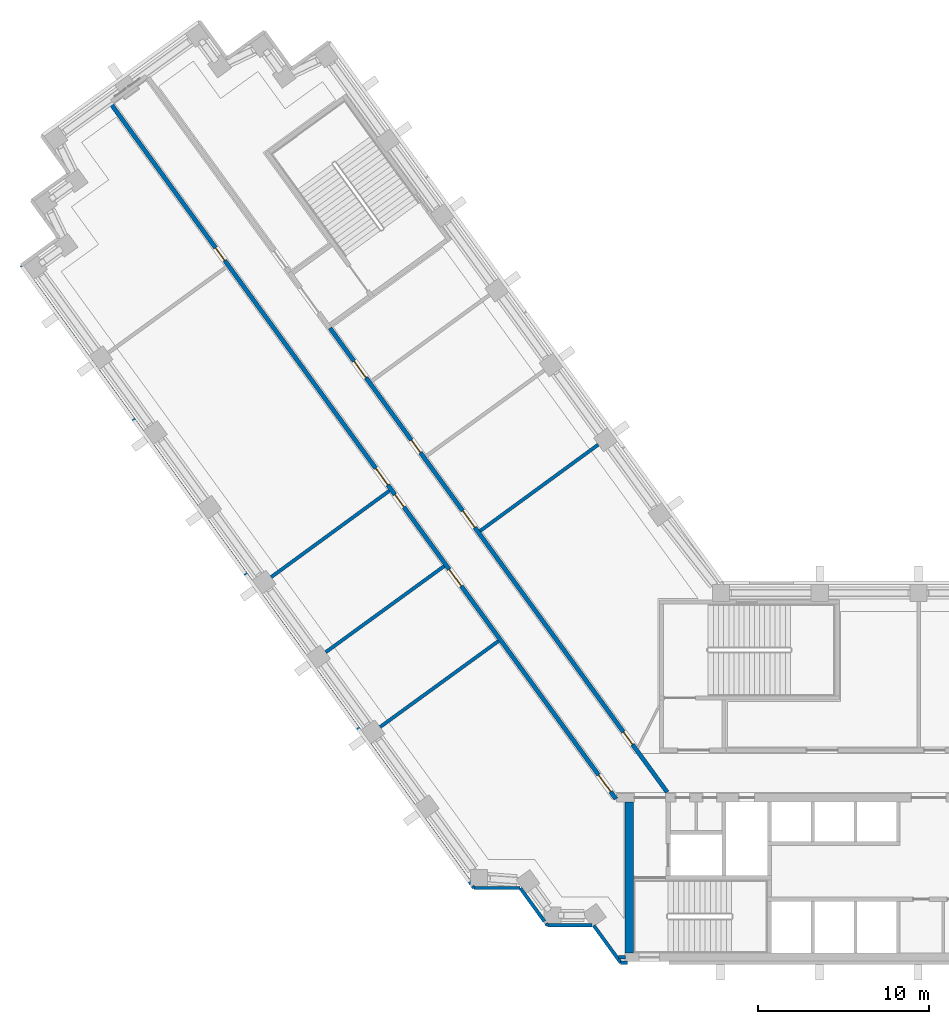
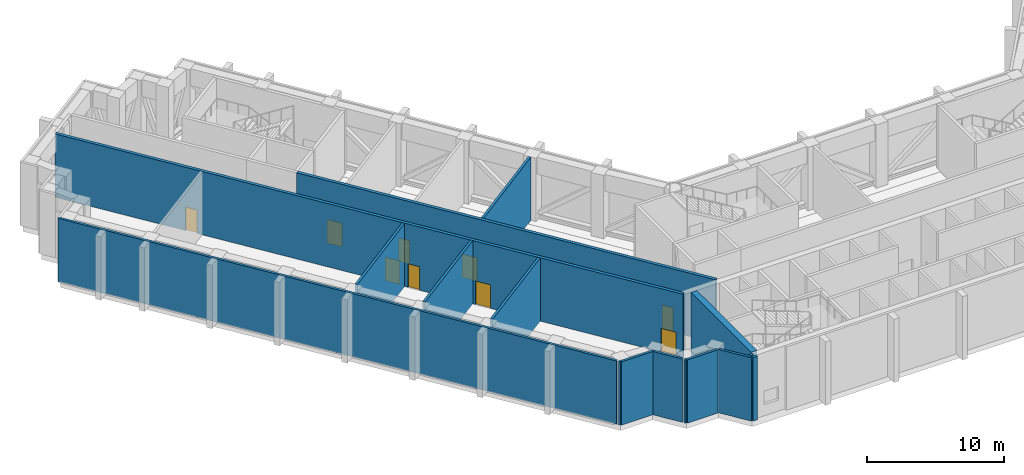
# One storey, part 10 of 18: 16 walls, 9 doors, 9 openings.
"""IFC4 building model written with IfcOpenShell, lengths in metres."""

from ifc_helpers import new_model, si_unit, direction, frame, frame_2d, origin, place, context, subcontext, project, spatial, rectangle, extrude, material, layer, layer_set, type_object, element, fill, save


model = new_model("IFC4")

# Units and contexts
model_context = context("Model", 3, precision=1e-05, world=origin(), true_north=direction((0.0, 1.0)))
body_context = subcontext(model_context, "Body", "Model", "MODEL_VIEW")
ifc_project = project(units=[si_unit("LENGTHUNIT", "METRE"), si_unit("AREAUNIT", "SQUARE_METRE"), si_unit("VOLUMEUNIT", "CUBIC_METRE"), si_unit("PLANEANGLEUNIT", "RADIAN"), si_unit("MASSUNIT", "GRAM", prefix="KILO")], contexts=[model_context])

# Site, building, storey
site_placement = place(None, origin())
site = spatial("IfcSite", under=ifc_project, at=site_placement, CompositionType="ELEMENT")
building_placement = place(site_placement, origin())
building = spatial("IfcBuilding", under=site, at=building_placement, Name="Quipu Civic Tower", CompositionType="ELEMENT")
storey_placement = place(building_placement, frame((0.0, 0.0, 79.0)))
storey = spatial("IfcBuildingStorey", under=building, at=storey_placement, Name="L18", CompositionType="ELEMENT", Elevation=79.0)

# Walls
ifc_material_1 = material(Name="Fired clay blockwork", Category="masonry")
ifc_layer_1 = layer(ifc_material_1, 0.199951171875)
ifc_layer_set_1 = layer_set([ifc_layer_1], Name="Fired clay blockwork")
wall_type_1 = type_object("IfcWallType", Name="Blockwork wall 200", PredefinedType="SOLIDWALL", material=ifc_layer_set_1)
wall_1_placement = place(storey_placement, frame((-40.660888671875, 11.432861328125, 0.0), z_axis=(0.0, 0.0, 1.0), x_axis=(0.807509937038, 0.589853966322, 0.0)))
element("IfcWall", 1, at=wall_1_placement, inside=storey, type_object=wall_type_1, Name="Partition P04", PredefinedType="SOLIDWALL", context=body_context, shape_type="SweptSolid", body=[
    extrude(rectangle(XDim=8.544921875, YDim=0.199951171875, at=frame_2d((4.2724609375, 0.0))), origin(), (0.0, 0.0, 1.0), 5.64990234375),
])
wall_2_placement = place(storey_placement, frame((-28.468994140625, 14.1240234375, 0.0), z_axis=(0.0, 0.0, 1.0), x_axis=(0.807519877432, 0.589840357684, 0.0)))
element("IfcWall", 2, at=wall_2_placement, inside=storey, type_object=wall_type_1, Name="Partition P06", PredefinedType="SOLIDWALL", context=body_context, shape_type="SweptSolid", body=[
    extrude(rectangle(XDim=8.545166015625, YDim=0.199951171875, at=frame_2d((4.2724609375, 0.0))), origin(), (0.0, 0.0, 1.0), 5.64990234375),
])
for number, where, z_axis, x_axis, name in (
    (3, (-27.38916015625, 7.702880859375, 0.0), (0.0, 0.0, 1.0), (-0.809031283368, -0.587765584678, 0.0), "Partition P08"),
    (4, (-30.563232421875, 12.07177734375, 0.0), (0.0, 0.0, 1.0), (-0.808970777022, -0.587848859762, 0.0), "Partition P10"),
):
    element("IfcWall", number, at=place(storey_placement, frame(where, z_axis=z_axis, x_axis=x_axis)), inside=storey, type_object=wall_type_1, Name=name, PredefinedType="SOLIDWALL", context=body_context, shape_type="SweptSolid", body=[
        extrude(rectangle(XDim=8.544677734375, YDim=0.199951171875, at=frame_2d((4.2724609375, 0.0))), origin(), (0.0, 0.0, 1.0), 5.64990234375),
    ])
ifc_material_2 = material(Name="Concrete C70/85", Category="concrete")
ifc_layer_2 = layer(ifc_material_2, 0.5)
ifc_layer_set_2 = layer_set([ifc_layer_2], Name="Concrete C70/85")
wall_type_2 = type_object("IfcWallType", Name="Core wall 500", PredefinedType="SHEAR", material=ifc_layer_set_2)
wall_3_placement = place(storey_placement, frame((-19.75, -10.5, 0.0), z_axis=(0.0, 0.0, 1.0), x_axis=(0.0, 1.0, 0.0)))
element("IfcWall", 5, at=wall_3_placement, inside=storey, type_object=wall_type_2, Name="Core wall", PredefinedType="SHEAR", context=body_context, shape_type="SweptSolid", body=[
    extrude(rectangle(XDim=8.800048828125, YDim=0.5, at=frame_2d((4.39990234375, 0.0))), origin(), (0.0, 0.0, 1.0), 5.64990234375),
])

# Wall, openings, doors
ifc_material_3 = material(Name="Concrete C50/60", Category="concrete")
ifc_layer_3 = layer(ifc_material_3, 0.25)
ifc_layer_set_3 = layer_set([ifc_layer_3], Name="Concrete C50/60")
wall_type_3 = type_object("IfcWallType", Name="Corridor wall 250 concrete", PredefinedType="SOLIDWALL", material=ifc_layer_set_3)
wall_4_placement = place(storey_placement, frame((-20.531005859375, -1.5234375, 0.0), z_axis=(0.0, 0.0, 1.0), x_axis=(-0.587785385475, 0.809016897612, 0.0)))
wall_4 = element("IfcWall", 6, at=wall_4_placement, inside=storey, type_object=wall_type_3, Name="Corridor wall C03", PredefinedType="SOLIDWALL", context=body_context, shape_type="SweptSolid", body=[
    extrude(rectangle(XDim=50.211669921875, YDim=0.25, at=frame_2d((25.10595703125, 0.0))), origin(), (0.0, 0.0, 1.0), 5.64990234375),
])
opening_1_placement = place(wall_4_placement, frame((22.665283203125, 0.0, 0.0)))
opening_1 = element("IfcOpeningElement", 7, at=opening_1_placement, cuts=wall_4, Name="Opening D013", PredefinedType="OPENING", context=body_context, shape_type="SweptSolid", body=[
    extrude(rectangle(XDim=1.199951171875, YDim=2.10009765625, at=frame_2d((0.60009765625, 1.050048828125))), frame((0.0, 0.135009765625, 0.0), z_axis=(0.0, -1.0, 0.0), x_axis=(1.0, 0.0, 0.0)), (0.0, 0.0, 1.0), 0.27001953125),
])
opening_2_placement = place(wall_4_placement, frame((38.865478515625, 0.0, 0.0)))
opening_2 = element("IfcOpeningElement", 8, at=opening_2_placement, cuts=wall_4, Name="Opening D012", PredefinedType="OPENING", context=body_context, shape_type="SweptSolid", body=[
    extrude(rectangle(XDim=0.89990234375, YDim=2.10009765625, at=frame_2d((0.449951171875, 1.050048828125))), frame((0.0, 0.135009765625, 0.0), z_axis=(0.0, -1.0, 0.0), x_axis=(1.0, 0.0, 0.0)), (0.0, 0.0, 1.0), 0.27001953125),
])
opening_3_placement = place(wall_4_placement, frame((0.533203125, 0.0, 0.0)))
opening_3 = element("IfcOpeningElement", 9, at=opening_3_placement, cuts=wall_4, Name="Opening D016", PredefinedType="OPENING", context=body_context, shape_type="SweptSolid", body=[
    extrude(rectangle(XDim=1.199951171875, YDim=2.10009765625, at=frame_2d((0.60009765625, 1.050048828125))), frame((0.0, 0.135009765625, 0.0), z_axis=(0.0, -1.0, 0.0), x_axis=(1.0, 0.0, 0.0)), (0.0, 0.0, 1.0), 0.27001953125),
])
opening_4_placement = place(wall_4_placement, frame((15.36572265625, 0.0, 0.0)))
opening_4 = element("IfcOpeningElement", 10, at=opening_4_placement, cuts=wall_4, Name="Opening D015", PredefinedType="OPENING", context=body_context, shape_type="SweptSolid", body=[
    extrude(rectangle(XDim=1.199951171875, YDim=2.10009765625, at=frame_2d((0.60009765625, 1.050048828125))), frame((0.0, 0.135009765625, 0.0), z_axis=(0.0, -1.0, 0.0), x_axis=(1.0, 0.0, 0.0)), (0.0, 0.0, 1.0), 0.27001953125),
])
opening_5_placement = place(wall_4_placement, frame((21.066162109375, 0.0, 0.0)))
opening_5 = element("IfcOpeningElement", 11, at=opening_5_placement, cuts=wall_4, Name="Opening D014", PredefinedType="OPENING", context=body_context, shape_type="SweptSolid", body=[
    extrude(rectangle(XDim=0.89990234375, YDim=2.10009765625, at=frame_2d((0.449951171875, 1.050048828125))), frame((0.0, 0.135009765625, 0.0), z_axis=(0.0, -1.0, 0.0), x_axis=(1.0, 0.0, 0.0)), (0.0, 0.0, 1.0), 0.27001953125),
])
ifc_material_4 = material(Name="Fire rated timber door set with metal frame", Category="wood")
door_type_1 = type_object("IfcDoorType", Name="Single door 1200 x 2100 FD60", OperationType="NOTDEFINED", PredefinedType="DOOR", material=ifc_material_4)
door_1_placement = place(opening_1_placement, origin())
door_1 = element("IfcDoor", 12, at=door_1_placement, inside=storey, type_object=door_type_1, Name="Door D013", OperationType="SINGLE_SWING_LEFT", OverallHeight=2.10009765625, OverallWidth=1.199951171875, PredefinedType="DOOR", context=body_context, shape_type="SweptSolid", body=[
    extrude(rectangle(XDim=1.199951171875, YDim=2.10009765625, at=frame_2d((0.60009765625, 1.050048828125))), frame((0.0, 0.02490234375, 0.0), z_axis=(0.0, -1.0, 0.0), x_axis=(1.0, 0.0, 0.0)), (0.0, 0.0, 1.0), 0.050048828125),
])
fill(opening_1, door_1)
door_2_placement = place(opening_3_placement, origin())
door_2 = element("IfcDoor", 13, at=door_2_placement, inside=storey, type_object=door_type_1, Name="Door D016", OperationType="SINGLE_SWING_LEFT", OverallHeight=2.10009765625, OverallWidth=1.199951171875, PredefinedType="DOOR", context=body_context, shape_type="SweptSolid", body=[
    extrude(rectangle(XDim=1.199951171875, YDim=2.10009765625, at=frame_2d((0.60009765625, 1.050048828125))), frame((0.0, 0.02490234375, 0.0), z_axis=(0.0, -1.0, 0.0), x_axis=(1.0, 0.0, 0.0)), (0.0, 0.0, 1.0), 0.050048828125),
])
fill(opening_3, door_2)
door_3_placement = place(opening_4_placement, origin())
door_3 = element("IfcDoor", 14, at=door_3_placement, inside=storey, type_object=door_type_1, Name="Door D015", OperationType="SINGLE_SWING_RIGHT", OverallHeight=2.10009765625, OverallWidth=1.199951171875, PredefinedType="DOOR", context=body_context, shape_type="SweptSolid", body=[
    extrude(rectangle(XDim=1.199951171875, YDim=2.10009765625, at=frame_2d((0.60009765625, 1.050048828125))), frame((0.0, 0.02490234375, 0.0), z_axis=(0.0, -1.0, 0.0), x_axis=(1.0, 0.0, 0.0)), (0.0, 0.0, 1.0), 0.050048828125),
])
fill(opening_4, door_3)
ifc_material_5 = material(Name="Fire rated timber door set with metal frame", Category="wood")
door_type_2 = type_object("IfcDoorType", Name="Single door 900 x 2100 FD60", OperationType="NOTDEFINED", PredefinedType="DOOR", material=ifc_material_5)
door_4_placement = place(opening_2_placement, origin())
door_4 = element("IfcDoor", 15, at=door_4_placement, inside=storey, type_object=door_type_2, Name="Door D012", OperationType="SINGLE_SWING_LEFT", OverallHeight=2.10009765625, OverallWidth=0.89990234375, PredefinedType="DOOR", context=body_context, shape_type="SweptSolid", body=[
    extrude(rectangle(XDim=0.89990234375, YDim=2.10009765625, at=frame_2d((0.449951171875, 1.050048828125))), frame((0.0, 0.02490234375, 0.0), z_axis=(0.0, -1.0, 0.0), x_axis=(1.0, 0.0, 0.0)), (0.0, 0.0, 1.0), 0.050048828125),
])
fill(opening_2, door_4)
door_5_placement = place(opening_5_placement, origin())
door_5 = element("IfcDoor", 16, at=door_5_placement, inside=storey, type_object=door_type_2, Name="Door D014", OperationType="SINGLE_SWING_RIGHT", OverallHeight=2.10009765625, OverallWidth=0.89990234375, PredefinedType="DOOR", context=body_context, shape_type="SweptSolid", body=[
    extrude(rectangle(XDim=0.89990234375, YDim=2.10009765625, at=frame_2d((0.449951171875, 1.050048828125))), frame((0.0, 0.02490234375, 0.0), z_axis=(0.0, -1.0, 0.0), x_axis=(1.0, 0.0, 0.0)), (0.0, 0.0, 1.0), 0.050048828125),
])
fill(opening_5, door_5)

wall_5_placement = place(storey_placement, frame((-37.231689453125, 25.9716796875, 0.0), z_axis=(0.0, 0.0, 1.0), x_axis=(0.587786323093, -0.809016216391, 0.0)))
wall_5 = element("IfcWall", 17, at=wall_5_placement, inside=storey, type_object=wall_type_3, Name="Corridor wall C06", PredefinedType="SOLIDWALL", context=body_context, shape_type="SweptSolid", body=[
    extrude(rectangle(XDim=33.4931640625, YDim=0.25, at=frame_2d((16.74658203125, 0.0))), origin(), (0.0, 0.0, 1.0), 5.64990234375),
])
opening_6_placement = place(wall_5_placement, frame((13.184814453125, 0.0, 0.0)))
opening_6 = element("IfcOpeningElement", 18, at=opening_6_placement, cuts=wall_5, Name="Opening D010", PredefinedType="OPENING", context=body_context, shape_type="SweptSolid", body=[
    extrude(rectangle(XDim=1.199951171875, YDim=2.10009765625, at=frame_2d((0.60009765625, 1.050048828125))), frame((0.0, 0.135009765625, 0.0), z_axis=(0.0, -1.0, 0.0), x_axis=(1.0, 0.0, 0.0)), (0.0, 0.0, 1.0), 0.27001953125),
])
opening_7_placement = place(wall_5_placement, frame((29.151611328125, 0.0, 0.0)))
opening_7 = element("IfcOpeningElement", 19, at=opening_7_placement, cuts=wall_5, Name="Opening D011", PredefinedType="OPENING", context=body_context, shape_type="SweptSolid", body=[
    extrude(rectangle(XDim=0.89990234375, YDim=2.10009765625, at=frame_2d((0.449951171875, 1.050048828125))), frame((0.0, 0.135009765625, 0.0), z_axis=(0.0, -1.0, 0.0), x_axis=(1.0, 0.0, 0.0)), (0.0, 0.0, 1.0), 0.27001953125),
])
opening_8_placement = place(wall_5_placement, frame((2.385009765625, 0.0, 0.0)))
opening_8 = element("IfcOpeningElement", 20, at=opening_8_placement, cuts=wall_5, Name="Opening D008", PredefinedType="OPENING", context=body_context, shape_type="SweptSolid", body=[
    extrude(rectangle(XDim=1.199951171875, YDim=2.10009765625, at=frame_2d((0.60009765625, 1.050048828125))), frame((0.0, 0.135009765625, 0.0), z_axis=(0.0, -1.0, 0.0), x_axis=(1.0, 0.0, 0.0)), (0.0, 0.0, 1.0), 0.27001953125),
])
opening_9_placement = place(wall_5_placement, frame((8.0849609375, 0.0, 0.0)))
opening_9 = element("IfcOpeningElement", 21, at=opening_9_placement, cuts=wall_5, Name="Opening D009", PredefinedType="OPENING", context=body_context, shape_type="SweptSolid", body=[
    extrude(rectangle(XDim=0.89990234375, YDim=2.10009765625, at=frame_2d((0.449951171875, 1.050048828125))), frame((0.0, 0.135009765625, 0.0), z_axis=(0.0, -1.0, 0.0), x_axis=(1.0, 0.0, 0.0)), (0.0, 0.0, 1.0), 0.27001953125),
])
door_6_placement = place(opening_6_placement, origin())
door_6 = element("IfcDoor", 22, at=door_6_placement, inside=storey, type_object=door_type_1, Name="Door D010", OperationType="SINGLE_SWING_RIGHT", OverallHeight=2.10009765625, OverallWidth=1.199951171875, PredefinedType="DOOR", context=body_context, shape_type="SweptSolid", body=[
    extrude(rectangle(XDim=1.199951171875, YDim=2.10009765625, at=frame_2d((0.60009765625, 1.050048828125))), frame((0.0, 0.02490234375, 0.0), z_axis=(0.0, -1.0, 0.0), x_axis=(1.0, 0.0, 0.0)), (0.0, 0.0, 1.0), 0.050048828125),
])
fill(opening_6, door_6)
door_7_placement = place(opening_8_placement, origin())
door_7 = element("IfcDoor", 23, at=door_7_placement, inside=storey, type_object=door_type_1, Name="Door D008", OperationType="SINGLE_SWING_RIGHT", OverallHeight=2.10009765625, OverallWidth=1.199951171875, PredefinedType="DOOR", context=body_context, shape_type="SweptSolid", body=[
    extrude(rectangle(XDim=1.199951171875, YDim=2.10009765625, at=frame_2d((0.60009765625, 1.050048828125))), frame((0.0, 0.02490234375, 0.0), z_axis=(0.0, -1.0, 0.0), x_axis=(1.0, 0.0, 0.0)), (0.0, 0.0, 1.0), 0.050048828125),
])
fill(opening_8, door_7)
door_8_placement = place(opening_7_placement, origin())
door_8 = element("IfcDoor", 24, at=door_8_placement, inside=storey, type_object=door_type_2, Name="Door D011", OperationType="SINGLE_SWING_RIGHT", OverallHeight=2.10009765625, OverallWidth=0.89990234375, PredefinedType="DOOR", context=body_context, shape_type="SweptSolid", body=[
    extrude(rectangle(XDim=0.89990234375, YDim=2.10009765625, at=frame_2d((0.449951171875, 1.050048828125))), frame((0.0, 0.02490234375, 0.0), z_axis=(0.0, -1.0, 0.0), x_axis=(1.0, 0.0, 0.0)), (0.0, 0.0, 1.0), 0.050048828125),
])
fill(opening_7, door_8)
door_9_placement = place(opening_9_placement, origin())
door_9 = element("IfcDoor", 25, at=door_9_placement, inside=storey, type_object=door_type_2, Name="Door D009", OperationType="SINGLE_SWING_RIGHT", OverallHeight=2.10009765625, OverallWidth=0.89990234375, PredefinedType="DOOR", context=body_context, shape_type="SweptSolid", body=[
    extrude(rectangle(XDim=0.89990234375, YDim=2.10009765625, at=frame_2d((0.449951171875, 1.050048828125))), frame((0.0, 0.02490234375, 0.0), z_axis=(0.0, -1.0, 0.0), x_axis=(1.0, 0.0, 0.0)), (0.0, 0.0, 1.0), 0.050048828125),
])
fill(opening_9, door_9)

# Walls
ifc_material_6 = material(Name="Precast concrete C40/50", Category="concrete")
wall_type_4 = type_object("IfcWallType", Name="Precast cladding wall", PredefinedType="SOLIDWALL", material=ifc_material_6)
wall_6_placement = place(storey_placement, frame((-55.244384765625, 29.645751953125, 0.0), z_axis=(0.0, 0.0, 1.0), x_axis=(0.587784449244, -0.809017577823, 0.0)))
element("IfcWall", 26, at=wall_6_placement, inside=storey, type_object=wall_type_4, Name="Precast cladding wall L18 11", PredefinedType="SOLIDWALL", context=body_context, shape_type="SweptSolid", body=[
    extrude(rectangle(XDim=44.65380859375, YDim=0.199951171875, at=frame_2d((22.326904296875, 0.0))), origin(), (0.0, 0.0, 1.0), 5.64990234375),
])
wall_7_placement = place(storey_placement, frame((-28.911376953125, -6.5986328125, 0.0), z_axis=(0.0, 0.0, 1.0), x_axis=(0.588358759446, -0.808600006297, 0.0)))
element("IfcWall", 27, at=wall_7_placement, inside=storey, type_object=wall_type_4, Name="Precast cladding wall L18 12", PredefinedType="SOLIDWALL", context=body_context, shape_type="SweptSolid", body=[
    extrude(rectangle(XDim=0.1552734375, YDim=0.199951171875, at=frame_2d((0.07763671875, 0.0))), origin(), (0.0, 0.0, 1.0), 5.64990234375),
])
wall_8_placement = place(storey_placement, frame((-28.81787109375, -6.71923828125, 0.0), z_axis=(0.0, 0.0, 1.0), x_axis=(1.0, 0.0, 0.0)))
element("IfcWall", 28, at=wall_8_placement, inside=storey, type_object=wall_type_4, Name="Precast cladding wall L18 13", PredefinedType="SOLIDWALL", context=body_context, shape_type="SweptSolid", body=[
    extrude(rectangle(XDim=2.68798828125, YDim=0.199951171875, at=frame_2d((1.343994140625, 0.0))), origin(), (0.0, 0.0, 1.0), 5.64990234375),
])
wall_9_placement = place(storey_placement, frame((-26.1201171875, -6.72412109375, 0.0), z_axis=(0.0, 0.0, 1.0), x_axis=(0.587706476352, -0.809074222587, 0.0)))
element("IfcWall", 29, at=wall_9_placement, inside=storey, type_object=wall_type_4, Name="Precast cladding wall L18 14", PredefinedType="SOLIDWALL", context=body_context, shape_type="SweptSolid", body=[
    extrude(rectangle(XDim=2.403076171875, YDim=0.199951171875, at=frame_2d((1.20166015625, 0.0))), origin(), (0.0, 0.0, 1.0), 5.64990234375),
])
wall_10_placement = place(storey_placement, frame((-24.623779296875, -8.78369140625, 0.0), z_axis=(0.0, 0.0, 1.0), x_axis=(0.586760218966, -0.809760733451, 0.0)))
element("IfcWall", 30, at=wall_10_placement, inside=storey, type_object=wall_type_4, Name="Precast cladding wall L18 15", PredefinedType="SOLIDWALL", context=body_context, shape_type="SweptSolid", body=[
    extrude(rectangle(XDim=0.154296875, YDim=0.199951171875, at=frame_2d((0.0771484375, 0.0))), origin(), (0.0, 0.0, 1.0), 5.64990234375),
])
wall_11_placement = place(storey_placement, frame((-24.53076171875, -8.90380859375, 0.0), z_axis=(0.0, 0.0, 1.0), x_axis=(1.0, 0.0, 0.0)))
element("IfcWall", 31, at=wall_11_placement, inside=storey, type_object=wall_type_4, Name="Precast cladding wall L18 16", PredefinedType="SOLIDWALL", context=body_context, shape_type="SweptSolid", body=[
    extrude(rectangle(XDim=2.58740234375, YDim=0.199951171875, at=frame_2d((1.293701171875, 0.0))), origin(), (0.0, 0.0, 1.0), 5.64990234375),
])
wall_12_placement = place(storey_placement, frame((-21.8330078125, -8.90869140625, 0.0), z_axis=(0.0, 0.0, 1.0), x_axis=(0.587766567315, -0.809030569476, 0.0)))
element("IfcWall", 32, at=wall_12_placement, inside=storey, type_object=wall_type_4, Name="Precast cladding wall L18 17", PredefinedType="SOLIDWALL", context=body_context, shape_type="SweptSolid", body=[
    extrude(rectangle(XDim=2.687744140625, YDim=0.199951171875, at=frame_2d((1.34375, 0.0))), origin(), (0.0, 0.0, 1.0), 5.64990234375),
])
wall_13_placement = place(storey_placement, frame((-20.255859375, -11.087890625, 0.0), z_axis=(0.0, 0.0, 1.0), x_axis=(1.0, 0.0, 0.0)))
element("IfcWall", 33, at=wall_13_placement, inside=storey, type_object=wall_type_4, Name="Precast cladding wall L18 18", PredefinedType="SOLIDWALL", context=body_context, shape_type="SweptSolid", body=[
    extrude(rectangle(XDim=0.40576171875, YDim=0.199951171875, at=frame_2d((0.202880859375, 0.0))), origin(), (0.0, 0.0, 1.0), 5.64990234375),
])
wall_14_placement = place(storey_placement, frame((-19.97998046875, -10.75, 0.0), z_axis=(0.0, 0.0, 1.0), x_axis=(-1.0, 0.0, 0.0)))
element("IfcWall", 34, at=wall_14_placement, inside=storey, type_object=wall_type_4, Name="Precast cladding return L18 W", PredefinedType="SOLIDWALL", context=body_context, shape_type="SweptSolid", body=[
    extrude(rectangle(XDim=0.41650390625, YDim=0.199951171875, at=frame_2d((0.208251953125, 0.0))), origin(), (0.0, 0.0, 1.0), 5.64990234375),
])

save(model, "model.ifc")
